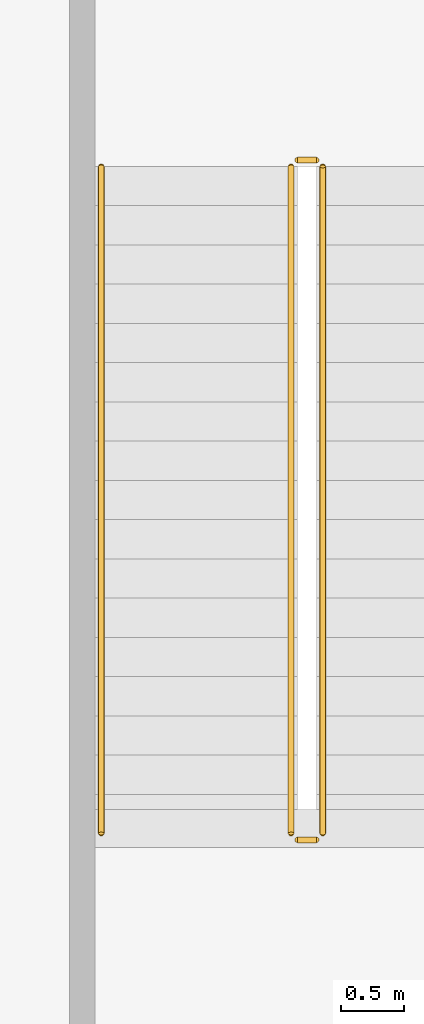
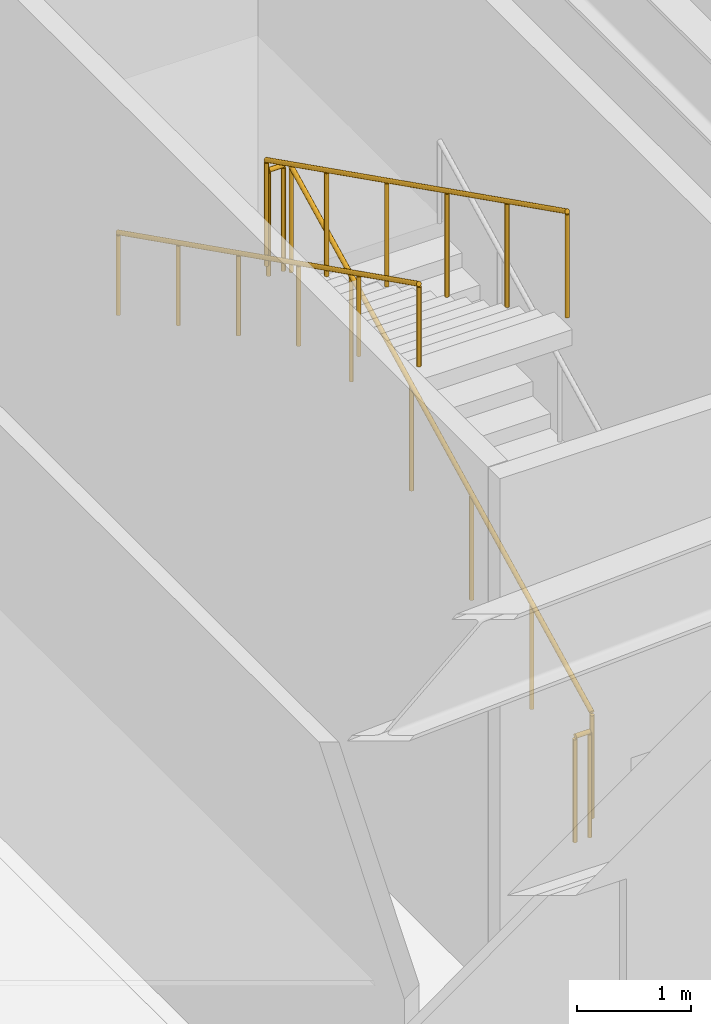
# One storey, part 14 of 20: 5 railings.
"""IFC4 building model written with IfcOpenShell, lengths in metres."""

from ifc_helpers import new_model, si_unit, direction, frame, origin, origin_2d, place, context, subcontext, project, spatial, circle, extrude, material, type_object, element, save


model = new_model("IFC4")

# Units and contexts
model_context = context("Model", 3, precision=1e-05, world=origin(), true_north=direction((0.0, 1.0)))
body_context = subcontext(model_context, "Body", "Model", "MODEL_VIEW")
ifc_project = project(units=[si_unit("LENGTHUNIT", "METRE"), si_unit("AREAUNIT", "SQUARE_METRE"), si_unit("VOLUMEUNIT", "CUBIC_METRE"), si_unit("PLANEANGLEUNIT", "RADIAN"), si_unit("MASSUNIT", "GRAM", prefix="KILO")], contexts=[model_context])

# Site, building, storey
site_placement = place(None, origin())
site = spatial("IfcSite", under=ifc_project, at=site_placement, CompositionType="ELEMENT")
building_placement = place(site_placement, origin())
building = spatial("IfcBuilding", under=site, at=building_placement, Name="Vaeldorn Concourse Tower", CompositionType="ELEMENT")
storey_placement = place(building_placement, origin())
storey = spatial("IfcBuildingStorey", under=building, at=storey_placement, Name="L00", CompositionType="ELEMENT", Elevation=0.0)

# Railings
ifc_material = material(Name="Anodised Bronze Aluminium", Category="aluminium")
railing_type_1 = type_object("IfcRailingType", Name="RL-STAIR-GUARD", PredefinedType="GUARDRAIL", material=ifc_material)
railing_1_placement = place(storey_placement, frame((64.050048828125, 4.85009765625, 0.155517578125)))
element("IfcRailing", 1, at=railing_1_placement, inside=storey, type_object=railing_type_1, Name="L00 ST-5 stair guard 1", PredefinedType="GUARDRAIL", context=body_context, shape_type="SweptSolid", body=[
    extrude(circle(Radius=0.02392578125, at=origin_2d()), frame((0.0, 0.0, 1.1259765625), z_axis=(0.0, 0.893780331391, 0.448504982379), x_axis=(-1.0, 0.0, 0.0)), (0.0, 0.0, 1.0), 5.896240234375),
    extrude(circle(Radius=0.02099609375, at=origin_2d()), origin(), (0.0, 0.0, 1.0), 1.101806640625),
    extrude(circle(Radius=0.02099609375, at=origin_2d()), frame((0.0, 1.053955078125, 0.52880859375)), (0.0, 0.0, 1.0), 1.101806640625),
    extrude(circle(Radius=0.02099609375, at=origin_2d()), frame((0.0, 2.10791015625, 1.057861328125)), (0.0, 0.0, 1.0), 1.101806640625),
    extrude(circle(Radius=0.02099609375, at=origin_2d()), frame((0.0, 3.162109375, 1.586669921875)), (0.0, 0.0, 1.0), 1.101806640625),
    extrude(circle(Radius=0.02099609375, at=origin_2d()), frame((0.0, 4.216064453125, 2.11572265625)), (0.0, 0.0, 1.0), 1.101806640625),
    extrude(circle(Radius=0.02099609375, at=origin_2d()), frame((0.0, 5.27001953125, 2.64453125)), (0.0, 0.0, 1.0), 1.101806640625),
])
railing_2_placement = place(storey_placement, frame((64.0, 10.169921875, 2.800048828125)))
element("IfcRailing", 2, at=railing_2_placement, inside=storey, type_object=railing_type_1, Name="L00 ST-5 stair guard 2", PredefinedType="GUARDRAIL", context=body_context, shape_type="SweptSolid", body=[
    extrude(circle(Radius=0.02392578125, at=origin_2d()), frame((0.0, 0.0, 1.1259765625), z_axis=(-1.0, 0.0, 0.0), x_axis=(0.0, -1.0, 0.0)), (0.0, 0.0, 1.0), 0.14990234375),
    extrude(circle(Radius=0.02099609375, at=origin_2d()), origin(), (0.0, 0.0, 1.0), 1.101806640625),
    extrude(circle(Radius=0.02099609375, at=origin_2d()), frame((-0.14990234375, 0.0, 0.0)), (0.0, 0.0, 1.0), 1.101806640625),
])
railing_3_placement = place(storey_placement, frame((63.800048828125, 10.1201171875, 2.95556640625)))
element("IfcRailing", 3, at=railing_3_placement, inside=storey, type_object=railing_type_1, Name="L00 ST-5 stair guard 3", PredefinedType="GUARDRAIL", context=body_context, shape_type="SweptSolid", body=[
    extrude(circle(Radius=0.02392578125, at=origin_2d()), frame((0.0, 0.0, 1.1259765625), z_axis=(0.0, -0.893780331391, 0.448504982379), x_axis=(1.0, 0.0, 0.0)), (0.0, 0.0, 1.0), 5.896240234375),
    extrude(circle(Radius=0.02099609375, at=origin_2d()), origin(), (0.0, 0.0, 1.0), 1.101806640625),
    extrude(circle(Radius=0.02099609375, at=origin_2d()), frame((0.0, -1.053955078125, 0.52880859375)), (0.0, 0.0, 1.0), 1.101806640625),
    extrude(circle(Radius=0.02099609375, at=origin_2d()), frame((0.0, -2.10791015625, 1.057861328125)), (0.0, 0.0, 1.0), 1.101806640625),
    extrude(circle(Radius=0.02099609375, at=origin_2d()), frame((0.0, -3.162109375, 1.586669921875)), (0.0, 0.0, 1.0), 1.101806640625),
    extrude(circle(Radius=0.02099609375, at=origin_2d()), frame((0.0, -4.216064453125, 2.11572265625)), (0.0, 0.0, 1.0), 1.101806640625),
    extrude(circle(Radius=0.02099609375, at=origin_2d()), frame((0.0, -5.27001953125, 2.64453125)), (0.0, 0.0, 1.0), 1.101806640625),
])
railing_4_placement = place(storey_placement, frame((64.0, 4.800048828125, 0.0)))
element("IfcRailing", 4, at=railing_4_placement, inside=storey, type_object=railing_type_1, Name="L00 ST-5 stair guard 4", PredefinedType="GUARDRAIL", context=body_context, shape_type="SweptSolid", body=[
    extrude(circle(Radius=0.02392578125, at=origin_2d()), frame((0.0, 0.0, 1.1259765625), z_axis=(-1.0, 0.0, 0.0), x_axis=(0.0, -1.0, 0.0)), (0.0, 0.0, 1.0), 0.14990234375),
    extrude(circle(Radius=0.02099609375, at=origin_2d()), origin(), (0.0, 0.0, 1.0), 1.101806640625),
    extrude(circle(Radius=0.02099609375, at=origin_2d()), frame((-0.14990234375, 0.0, 0.0)), (0.0, 0.0, 1.0), 1.101806640625),
])
railing_type_2 = type_object("IfcRailingType", Name="RL-STAIR-HANDRAIL", PredefinedType="HANDRAIL", material=ifc_material)
railing_5_placement = place(storey_placement, frame((62.300048828125, 10.1201171875, 2.95556640625)))
element("IfcRailing", 5, at=railing_5_placement, inside=storey, type_object=railing_type_2, Name="L00 ST-5 stair handrail 2", PredefinedType="HANDRAIL", context=body_context, shape_type="SweptSolid", body=[
    extrude(circle(Radius=0.02392578125, at=origin_2d()), frame((0.0, 0.0, 0.8759765625), z_axis=(0.0, -0.893780331391, 0.448504982379), x_axis=(1.0, 0.0, 0.0)), (0.0, 0.0, 1.0), 5.896240234375),
    extrude(circle(Radius=0.02099609375, at=origin_2d()), origin(), (0.0, 0.0, 1.0), 0.851806640625),
    extrude(circle(Radius=0.02099609375, at=origin_2d()), frame((0.0, -1.053955078125, 0.52880859375)), (0.0, 0.0, 1.0), 0.851806640625),
    extrude(circle(Radius=0.02099609375, at=origin_2d()), frame((0.0, -2.10791015625, 1.057861328125)), (0.0, 0.0, 1.0), 0.851806640625),
    extrude(circle(Radius=0.02099609375, at=origin_2d()), frame((0.0, -3.162109375, 1.586669921875)), (0.0, 0.0, 1.0), 0.851806640625),
    extrude(circle(Radius=0.02099609375, at=origin_2d()), frame((0.0, -4.216064453125, 2.11572265625)), (0.0, 0.0, 1.0), 0.851806640625),
    extrude(circle(Radius=0.02099609375, at=origin_2d()), frame((0.0, -5.27001953125, 2.64453125)), (0.0, 0.0, 1.0), 0.851806640625),
])

save(model, "model.ifc")
